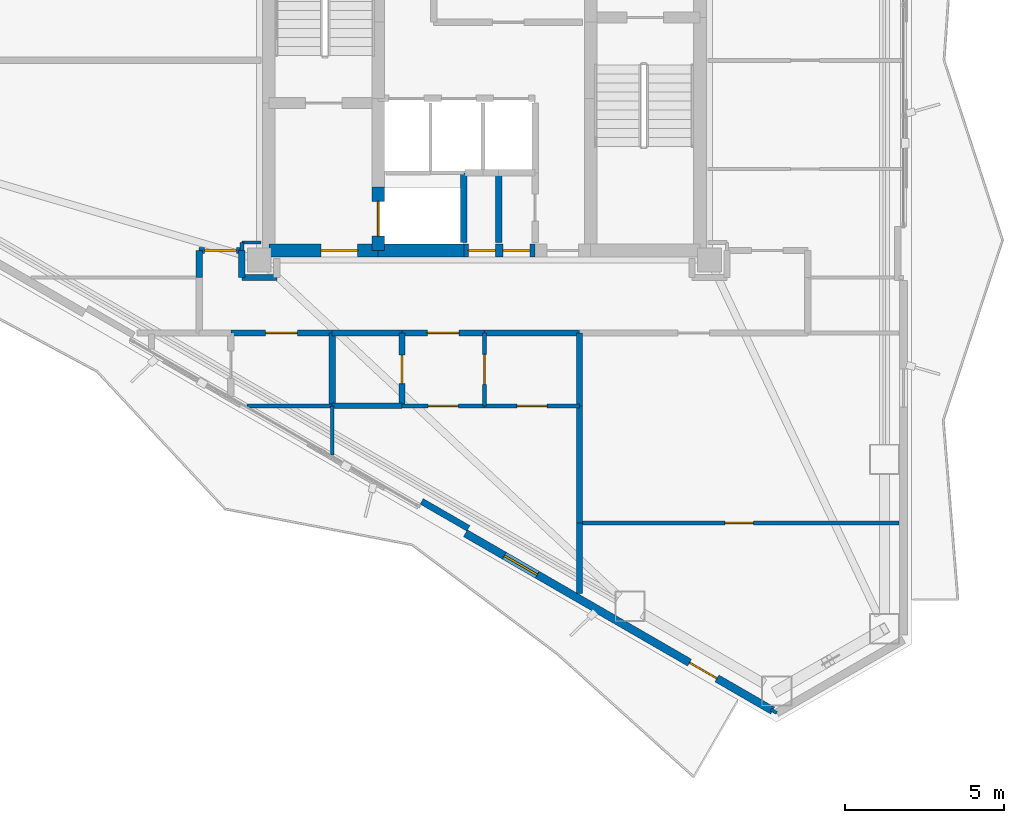
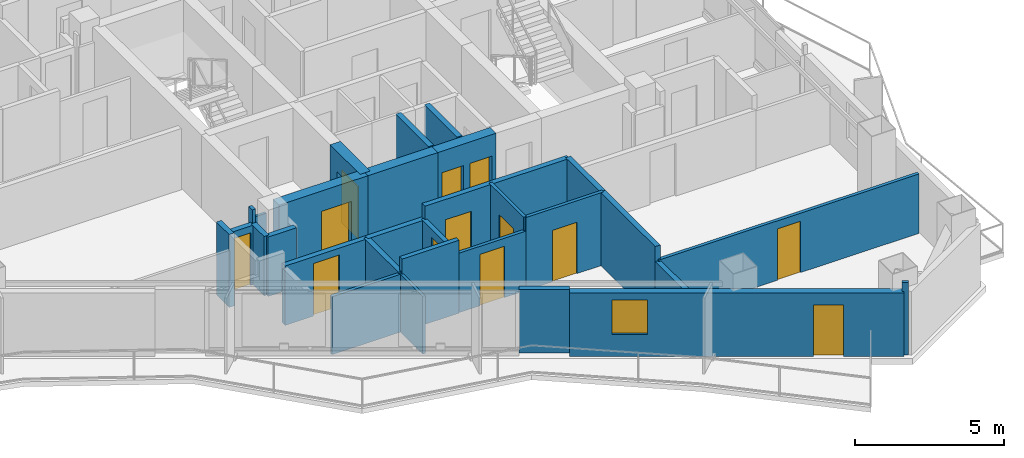
# One storey, part 12 of 18: 31 walls, 13 doors, 1 window, 14 openings.
"""IFC4 building model written with IfcOpenShell, lengths in metres."""

from ifc_helpers import new_model, si_unit, direction, frame, frame_2d, origin, place, context, subcontext, project, spatial, rectangle, extrude, material, layer, layer_set, type_object, element, fill, save


model = new_model("IFC4")

# Units and contexts
model_context = context("Model", 3, precision=1e-05, world=origin(), true_north=direction((0.0, 1.0)))
body_context = subcontext(model_context, "Body", "Model", "MODEL_VIEW")
ifc_project = project(units=[si_unit("LENGTHUNIT", "METRE"), si_unit("AREAUNIT", "SQUARE_METRE"), si_unit("VOLUMEUNIT", "CUBIC_METRE"), si_unit("PLANEANGLEUNIT", "RADIAN"), si_unit("MASSUNIT", "GRAM", prefix="KILO")], contexts=[model_context])

# Site, building, storey
site_placement = place(None, origin())
site = spatial("IfcSite", under=ifc_project, at=site_placement, CompositionType="ELEMENT")
building_placement = place(site_placement, origin())
building = spatial("IfcBuilding", under=site, at=building_placement, Name="Mersakhor Tower and Convention Hall", CompositionType="ELEMENT")
storey_placement = place(building_placement, frame((0.0, 0.0, 157.5)))
storey = spatial("IfcBuildingStorey", under=building, at=storey_placement, Name="L44", CompositionType="ELEMENT", Elevation=157.5)

# Wall, openings, door, window
ifc_material_1 = material(Name="Precast concrete C40/50", Category="concrete")
ifc_layer_1 = layer(ifc_material_1, 0.25)
ifc_layer_set_1 = layer_set([ifc_layer_1], Name="Precast concrete C40/50")
wall_type_1 = type_object("IfcWallType", Name="WL-EXT-250", PredefinedType="SOLIDWALL", material=ifc_layer_set_1)
wall_1_placement = place(storey_placement, frame((38.090576171875, 6.2373046875, 0.0), z_axis=(0.0, 0.0, 1.0), x_axis=(-0.86602239209, 0.500005216371, 0.0)))
wall_1 = element("IfcWall", 1, at=wall_1_placement, inside=storey, type_object=wall_type_1, Name="L44 Exterior Facade Wall F3-B1", PredefinedType="SOLIDWALL", context=body_context, shape_type="SweptSolid", body=[
    extrude(rectangle(XDim=11.18603515625, YDim=0.25, at=frame_2d((5.593017578125, 0.0))), origin(), (0.0, 0.0, 1.0), 2.60009765625),
])
opening_1_placement = place(wall_1_placement, frame((2.027099609375, 0.0, 0.0)))
opening_1 = element("IfcOpeningElement", 2, at=opening_1_placement, cuts=wall_1, Name="Opening BD-01", PredefinedType="OPENING", context=body_context, shape_type="SweptSolid", body=[
    extrude(rectangle(XDim=1.0, YDim=2.10009765625, at=frame_2d((0.5, 1.050048828125))), frame((0.0, 0.135009765625, 0.0), z_axis=(0.0, -1.0, 0.0), x_axis=(1.0, 0.0, 0.0)), (0.0, 0.0, 1.0), 0.27001953125),
])
opening_2_placement = place(wall_1_placement, frame((8.571044921875, 0.0, 0.89990234375)))
opening_2 = element("IfcOpeningElement", 3, at=opening_2_placement, cuts=wall_1, Name="Opening W-01", PredefinedType="OPENING", context=body_context, shape_type="SweptSolid", body=[
    extrude(rectangle(XDim=1.199951171875, YDim=1.39990234375, at=frame_2d((0.60009765625, 0.699951171875))), frame((0.0, 0.135009765625, 0.0), z_axis=(0.0, -1.0, 0.0), x_axis=(1.0, 0.0, 0.0)), (0.0, 0.0, 1.0), 0.27001953125),
])
ifc_material_2 = material(Name="Thermally broken dark aluminium and safety glass", Category="aluminium")
door_type_1 = type_object("IfcDoorType", Name="DR-BAL-100x210", OperationType="NOTDEFINED", PredefinedType="DOOR", material=ifc_material_2)
door_1_placement = place(opening_1_placement, origin())
door_1 = element("IfcDoor", 4, at=door_1_placement, inside=storey, type_object=door_type_1, Name="L44 Balcony Terrace Door F3-B1", OperationType="SINGLE_SWING_LEFT", OverallHeight=2.10009765625, OverallWidth=1.0, PredefinedType="DOOR", context=body_context, shape_type="SweptSolid", body=[
    extrude(rectangle(XDim=1.0, YDim=2.10009765625, at=frame_2d((0.5, 1.050048828125))), frame((0.0, 0.02490234375, 0.0), z_axis=(0.0, -1.0, 0.0), x_axis=(1.0, 0.0, 0.0)), (0.0, 0.0, 1.0), 0.050048828125),
])
fill(opening_1, door_1)
ifc_material_3 = material(Name="Dark solar low-E glazed aluminium window", Category="aluminium")
window_type = type_object("IfcWindowType", Name="WN-RES-120x150", PartitioningType="SINGLE_PANEL", PredefinedType="WINDOW", material=ifc_material_3)
window_placement = place(opening_2_placement, origin())
window = element("IfcWindow", 5, at=window_placement, inside=storey, type_object=window_type, Name="L44 Bedroom Facade Window F3-B1-1", OverallHeight=1.39990234375, OverallWidth=1.199951171875, PartitioningType="SINGLE_PANEL", PredefinedType="WINDOW", context=body_context, shape_type="SweptSolid", body=[
    extrude(rectangle(XDim=1.199951171875, YDim=1.39990234375, at=frame_2d((0.60009765625, 0.699951171875))), frame((0.0, 0.030029296875, 0.0), z_axis=(0.0, -1.0, 0.0), x_axis=(1.0, 0.0, 0.0)), (0.0, 0.0, 1.0), 0.06005859375),
])
fill(opening_2, window)

# Wall
ifc_material_4 = material(Name="Precast concrete C40/50", Category="concrete")
ifc_layer_2 = layer(ifc_material_4, 0.199951171875)
ifc_layer_set_2 = layer_set([ifc_layer_2], Name="Precast concrete C40/50")
wall_type_2 = type_object("IfcWallType", Name="WL-PAR-200", PredefinedType="PARAPET", material=ifc_layer_set_2)
wall_2_placement = place(storey_placement, frame((28.4931640625, 11.986328125, 0.0), z_axis=(0.0, 0.0, 1.0), x_axis=(-0.86605165483, 0.499954529098, 0.0)))
element("IfcWall", 6, at=wall_2_placement, inside=storey, type_object=wall_type_2, Name="L44 Column Pier Cladding Wall F3-C1", PredefinedType="PARAPET", context=body_context, shape_type="SweptSolid", body=[
    extrude(rectangle(XDim=1.699951171875, YDim=0.199951171875, at=frame_2d((0.85009765625, 0.0))), origin(), (0.0, 0.0, 1.0), 2.60009765625),
])

# Wall, opening, door
ifc_material_5 = material(Name="Moisture-resistant acoustic drywall studwork", Category="other")
ifc_layer_3 = layer(ifc_material_5, 0.175048828125)
ifc_layer_set_3 = layer_set([ifc_layer_3], Name="Moisture-resistant acoustic drywall studwork")
wall_type_3 = type_object("IfcWallType", Name="WL-PLM-175", PredefinedType="PLUMBINGWALL", material=ifc_layer_set_3)
wall_3_placement = place(storey_placement, frame((26.39990234375, 15.85009765625, 0.0), z_axis=(0.0, 0.0, 1.0), x_axis=(0.0, 1.0, 0.0)))
wall_3 = element("IfcWall", 7, at=wall_3_placement, inside=storey, type_object=wall_type_3, Name="L44 Interior Partition Wall P-056", PredefinedType="PLUMBINGWALL", context=body_context, shape_type="SweptSolid", body=[
    extrude(rectangle(XDim=2.2998046875, YDim=0.175048828125, at=frame_2d((1.14990234375, 0.0))), origin(), (0.0, 0.0, 1.0), 2.42822265625),
])
opening_3_placement = place(wall_3_placement, frame((0.699951171875, 0.0, 0.0)))
opening_3 = element("IfcOpeningElement", 8, at=opening_3_placement, cuts=wall_3, Name="Opening WD-01", PredefinedType="OPENING", context=body_context, shape_type="SweptSolid", body=[
    extrude(rectangle(XDim=0.89990234375, YDim=2.10009765625, at=frame_2d((0.449951171875, 1.050048828125))), frame((0.0, 0.097412109375, 0.0), z_axis=(0.0, -1.0, 0.0), x_axis=(1.0, 0.0, 0.0)), (0.0, 0.0, 1.0), 0.195068359375),
])
ifc_material_6 = material(Name="Solid-core hardwood leaf in painted steel frame", Category="steel")
door_type_2 = type_object("IfcDoorType", Name="DR-INT-WET-090x210", OperationType="NOTDEFINED", PredefinedType="DOOR", material=ifc_material_6)
door_2_placement = place(opening_3_placement, origin())
door_2 = element("IfcDoor", 9, at=door_2_placement, inside=storey, type_object=door_type_2, Name="L44 L44 Flat S4 Apartment Hall to L44 Flat S4 Bathroom Door", OperationType="SINGLE_SWING_RIGHT", OverallHeight=2.10009765625, OverallWidth=0.89990234375, PredefinedType="DOOR", context=body_context, shape_type="SweptSolid", body=[
    extrude(rectangle(XDim=0.89990234375, YDim=2.10009765625, at=frame_2d((0.449951171875, 1.050048828125))), frame((0.0, 0.02490234375, 0.0), z_axis=(0.0, -1.0, 0.0), x_axis=(1.0, 0.0, 0.0)), (0.0, 0.0, 1.0), 0.050048828125),
])
fill(opening_3, door_2)

# Walls
wall_4_placement = place(storey_placement, frame((26.39990234375, 15.85009765625, 0.0), z_axis=(0.0, 0.0, 1.0), x_axis=(-1.0, 0.0, 0.0)))
element("IfcWall", 10, at=wall_4_placement, inside=storey, type_object=wall_type_3, Name="L44 Interior Partition Wall P-067", PredefinedType="PLUMBINGWALL", context=body_context, shape_type="SweptSolid", body=[
    extrude(rectangle(XDim=2.199951171875, YDim=0.175048828125, at=frame_2d((1.10009765625, 0.0))), origin(), (0.0, 0.0, 1.0), 2.97998046875),
])
ifc_material_7 = material(Name="Lightweight gypsum partition", Category="other")
ifc_layer_4 = layer(ifc_material_7, 0.10009765625)
ifc_layer_set_4 = layer_set([ifc_layer_4], Name="Lightweight gypsum partition")
wall_type_4 = type_object("IfcWallType", Name="WL-PRT-100", PredefinedType="PARTITIONING", material=ifc_layer_set_4)
wall_5_placement = place(storey_placement, frame((38.220703125, 6.162109375, 0.0), z_axis=(0.0, 0.0, 1.0), x_axis=(-0.865581379588, 0.500768285049, 0.0)))
element("IfcWall", 11, at=wall_5_placement, inside=storey, type_object=wall_type_4, Name="L44 Interior Partition Wall P-088", PredefinedType="PARTITIONING", context=body_context, shape_type="SweptSolid", body=[
    extrude(rectangle(XDim=0.215576171875, YDim=0.10009765625, at=frame_2d((0.10791015625, 0.0))), origin(), (0.0, 0.0, 1.0), 2.97998046875),
])
wall_6_placement = place(storey_placement, frame((21.949951171875, 21.0, 0.0), z_axis=(0.0, 0.0, 1.0), x_axis=(-1.0, 0.0, 0.0)))
element("IfcWall", 12, at=wall_6_placement, inside=storey, type_object=wall_type_4, Name="L44 Interior Partition Wall P-092", PredefinedType="PARTITIONING", context=body_context, shape_type="SweptSolid", body=[
    extrude(rectangle(XDim=0.599853515625, YDim=0.10009765625, at=frame_2d((0.2998046875, 0.0))), origin(), (0.0, 0.0, 1.0), 2.5048828125),
])
wall_7_placement = place(storey_placement, frame((24.199951171875, 14.301025390625, 0.0), z_axis=(0.0, 0.0, 1.0), x_axis=(0.0, 1.0, 0.0)))
element("IfcWall", 13, at=wall_7_placement, inside=storey, type_object=wall_type_4, Name="L44 Interior Partition Wall P-116", PredefinedType="PARTITIONING", context=body_context, shape_type="SweptSolid", body=[
    extrude(rectangle(XDim=1.549072265625, YDim=0.10009765625, at=frame_2d((0.7744140625, 0.0))), origin(), (0.0, 0.0, 1.0), 2.364990234375),
])

# Wall, opening, door
ifc_material_8 = material(Name="Gypsum board acoustic partition", Category="other")
ifc_layer_5 = layer(ifc_material_8, 0.125)
ifc_layer_set_5 = layer_set([ifc_layer_5], Name="Gypsum board acoustic partition")
wall_type_5 = type_object("IfcWallType", Name="WL-PRT-125", PredefinedType="PARTITIONING", material=ifc_layer_set_5)
wall_8_placement = place(storey_placement, frame((29.0, 15.85009765625, 0.0), z_axis=(0.0, 0.0, 1.0), x_axis=(-1.0, 0.0, 0.0)))
wall_8 = element("IfcWall", 14, at=wall_8_placement, inside=storey, type_object=wall_type_5, Name="L44 Interior Partition Wall P-055", PredefinedType="PARTITIONING", context=body_context, shape_type="SweptSolid", body=[
    extrude(rectangle(XDim=2.60009765625, YDim=0.125, at=frame_2d((1.300048828125, 0.0))), origin(), (0.0, 0.0, 1.0), 2.42822265625),
])
opening_4_placement = place(wall_8_placement, frame((0.824951171875, 0.0, 0.0)))
opening_4 = element("IfcOpeningElement", 15, at=opening_4_placement, cuts=wall_8, Name="Opening RD-01", PredefinedType="OPENING", context=body_context, shape_type="SweptSolid", body=[
    extrude(rectangle(XDim=0.949951171875, YDim=2.10009765625, at=frame_2d((0.47509765625, 1.050048828125))), frame((0.0, 0.072509765625, 0.0), z_axis=(0.0, -1.0, 0.0), x_axis=(1.0, 0.0, 0.0)), (0.0, 0.0, 1.0), 0.14501953125),
])
ifc_material_9 = material(Name="Solid-core hardwood leaf in painted steel frame", Category="steel")
door_type_3 = type_object("IfcDoorType", Name="DR-INT-RM-095x210", OperationType="NOTDEFINED", PredefinedType="DOOR", material=ifc_material_9)
door_3_placement = place(opening_4_placement, origin())
door_3 = element("IfcDoor", 16, at=door_3_placement, inside=storey, type_object=door_type_3, Name="L44 L44 Flat S4 Apartment Hall to L44 Flat S4 Studio Living and Sleeping Room Door", OperationType="SINGLE_SWING_RIGHT", OverallHeight=2.10009765625, OverallWidth=0.949951171875, PredefinedType="DOOR", context=body_context, shape_type="SweptSolid", body=[
    extrude(rectangle(XDim=0.949951171875, YDim=2.10009765625, at=frame_2d((0.47509765625, 1.050048828125))), frame((0.0, 0.02490234375, 0.0), z_axis=(0.0, -1.0, 0.0), x_axis=(1.0, 0.0, 0.0)), (0.0, 0.0, 1.0), 0.050048828125),
])
fill(opening_4, door_3)

wall_9_placement = place(storey_placement, frame((29.0, 18.14990234375, 0.0), z_axis=(0.0, 0.0, 1.0), x_axis=(0.0, -1.0, 0.0)))
wall_9 = element("IfcWall", 17, at=wall_9_placement, inside=storey, type_object=wall_type_5, Name="L44 Interior Partition Wall P-057", PredefinedType="PARTITIONING", context=body_context, shape_type="SweptSolid", body=[
    extrude(rectangle(XDim=2.2998046875, YDim=0.125, at=frame_2d((1.14990234375, 0.0))), origin(), (0.0, 0.0, 1.0), 2.97998046875),
])
opening_5_placement = place(wall_9_placement, frame((0.675048828125, 0.0, 0.0)))
opening_5 = element("IfcOpeningElement", 18, at=opening_5_placement, cuts=wall_9, Name="Opening RD-01", PredefinedType="OPENING", context=body_context, shape_type="SweptSolid", body=[
    extrude(rectangle(XDim=0.949951171875, YDim=2.10009765625, at=frame_2d((0.47509765625, 1.050048828125))), frame((0.0, 0.072509765625, 0.0), z_axis=(0.0, -1.0, 0.0), x_axis=(1.0, 0.0, 0.0)), (0.0, 0.0, 1.0), 0.14501953125),
])
door_4_placement = place(opening_5_placement, origin())
door_4 = element("IfcDoor", 19, at=door_4_placement, inside=storey, type_object=door_type_3, Name="L44 L44 Flat S4 Apartment Hall to L44 Flat S4 Kitchen Door", OperationType="SINGLE_SWING_LEFT", OverallHeight=2.10009765625, OverallWidth=0.949951171875, PredefinedType="DOOR", context=body_context, shape_type="SweptSolid", body=[
    extrude(rectangle(XDim=0.949951171875, YDim=2.10009765625, at=frame_2d((0.47509765625, 1.050048828125))), frame((0.0, 0.02490234375, 0.0), z_axis=(0.0, -1.0, 0.0), x_axis=(1.0, 0.0, 0.0)), (0.0, 0.0, 1.0), 0.050048828125),
])
fill(opening_5, door_4)

wall_10_placement = place(storey_placement, frame((32.0, 15.85009765625, 0.0), z_axis=(0.0, 0.0, 1.0), x_axis=(-1.0, 0.0, 0.0)))
wall_10 = element("IfcWall", 20, at=wall_10_placement, inside=storey, type_object=wall_type_5, Name="L44 Interior Partition Wall P-069", PredefinedType="PARTITIONING", context=body_context, shape_type="SweptSolid", body=[
    extrude(rectangle(XDim=3.0, YDim=0.125, at=frame_2d((1.5, 0.0))), origin(), (0.0, 0.0, 1.0), 2.97998046875),
])
opening_6_placement = place(wall_10_placement, frame((1.02490234375, 0.0, 0.0)))
opening_6 = element("IfcOpeningElement", 21, at=opening_6_placement, cuts=wall_10, Name="Opening RD-01", PredefinedType="OPENING", context=body_context, shape_type="SweptSolid", body=[
    extrude(rectangle(XDim=0.949951171875, YDim=2.10009765625, at=frame_2d((0.47509765625, 1.050048828125))), frame((0.0, 0.072509765625, 0.0), z_axis=(0.0, -1.0, 0.0), x_axis=(1.0, 0.0, 0.0)), (0.0, 0.0, 1.0), 0.14501953125),
])
door_5_placement = place(opening_6_placement, origin())
door_5 = element("IfcDoor", 22, at=door_5_placement, inside=storey, type_object=door_type_3, Name="L44 L44 Flat S4 Kitchen to L44 Flat S4 Studio Living and Sleeping Room Door", OperationType="SINGLE_SWING_RIGHT", OverallHeight=2.10009765625, OverallWidth=0.949951171875, PredefinedType="DOOR", context=body_context, shape_type="SweptSolid", body=[
    extrude(rectangle(XDim=0.949951171875, YDim=2.10009765625, at=frame_2d((0.47509765625, 1.050048828125))), frame((0.0, 0.02490234375, 0.0), z_axis=(0.0, -1.0, 0.0), x_axis=(1.0, 0.0, 0.0)), (0.0, 0.0, 1.0), 0.050048828125),
])
fill(opening_6, door_5)

wall_11_placement = place(storey_placement, frame((32.0, 12.159912109375, 0.0), z_axis=(0.0, 0.0, 1.0), x_axis=(1.0, 0.0, 0.0)))
wall_11 = element("IfcWall", 23, at=wall_11_placement, inside=storey, type_object=wall_type_5, Name="L44 Interior Partition Wall P-087", PredefinedType="PARTITIONING", context=body_context, shape_type="SweptSolid", body=[
    extrude(rectangle(XDim=10.0703125, YDim=0.125, at=frame_2d((5.03515625, 0.0))), origin(), (0.0, 0.0, 1.0), 2.42822265625),
])
opening_7_placement = place(wall_11_placement, frame((4.585205078125, 0.0, 0.0)))
opening_7 = element("IfcOpeningElement", 24, at=opening_7_placement, cuts=wall_11, Name="Opening WD-01", PredefinedType="OPENING", context=body_context, shape_type="SweptSolid", body=[
    extrude(rectangle(XDim=0.89990234375, YDim=2.10009765625, at=frame_2d((0.449951171875, 1.050048828125))), frame((0.0, 0.072509765625, 0.0), z_axis=(0.0, -1.0, 0.0), x_axis=(1.0, 0.0, 0.0)), (0.0, 0.0, 1.0), 0.14501953125),
])
door_6_placement = place(opening_7_placement, origin())
door_6 = element("IfcDoor", 25, at=door_6_placement, inside=storey, type_object=door_type_2, Name="L44 L44 South-East Residents Lounge to L44 South-East Residents Lounge Annex Door", OperationType="SINGLE_SWING_RIGHT", OverallHeight=2.10009765625, OverallWidth=0.89990234375, PredefinedType="DOOR", context=body_context, shape_type="SweptSolid", body=[
    extrude(rectangle(XDim=0.89990234375, YDim=2.10009765625, at=frame_2d((0.449951171875, 1.050048828125))), frame((0.0, 0.02490234375, 0.0), z_axis=(0.0, -1.0, 0.0), x_axis=(1.0, 0.0, 0.0)), (0.0, 0.0, 1.0), 0.050048828125),
])
fill(opening_7, door_6)

# Walls
wall_12_placement = place(storey_placement, frame((21.35009765625, 21.0, 0.0), z_axis=(0.0, 0.0, 1.0), x_axis=(0.0, -1.0, 0.0)))
element("IfcWall", 26, at=wall_12_placement, inside=storey, type_object=wall_type_5, Name="L44 Interior Partition Wall P-093", PredefinedType="PARTITIONING", context=body_context, shape_type="SweptSolid", body=[
    extrude(rectangle(XDim=0.25, YDim=0.125, at=frame_2d((0.125, 0.0))), origin(), (0.0, 0.0, 1.0), 2.97998046875),
])
wall_13_placement = place(storey_placement, frame((24.199951171875, 15.85009765625, 0.0), z_axis=(0.0, 0.0, 1.0), x_axis=(-1.0, 0.0, 0.0)))
element("IfcWall", 27, at=wall_13_placement, inside=storey, type_object=wall_type_5, Name="L44 Interior Partition Wall P-115", PredefinedType="PARTITIONING", context=body_context, shape_type="SweptSolid", body=[
    extrude(rectangle(XDim=2.68994140625, YDim=0.125, at=frame_2d((1.344970703125, 0.0))), origin(), (0.0, 0.0, 1.0), 2.364990234375),
])
ifc_material_10 = material(Name="Acoustic concrete blockwork and gypsum board", Category="masonry")
ifc_layer_6 = layer(ifc_material_10, 0.199951171875)
ifc_layer_set_6 = layer_set([ifc_layer_6], Name="Acoustic concrete blockwork and gypsum board")
wall_type_6 = type_object("IfcWallType", Name="WL-PRT-200", PredefinedType="PARTITIONING", material=ifc_layer_set_6)
wall_14_placement = place(storey_placement, frame((28.35009765625, 23.199951171875, 0.0), z_axis=(0.0, 0.0, 1.0), x_axis=(0.0, -1.0, 0.0)))
element("IfcWall", 28, at=wall_14_placement, inside=storey, type_object=wall_type_6, Name="L44 Interior Partition Wall P-003", PredefinedType="PARTITIONING", context=body_context, shape_type="SweptSolid", body=[
    extrude(rectangle(XDim=2.199951171875, YDim=0.199951171875, at=frame_2d((1.10009765625, 0.0))), origin(), (0.0, 0.0, 1.0), 2.97998046875),
])
wall_15_placement = place(storey_placement, frame((32.0, 18.14990234375, 0.0), z_axis=(0.0, 0.0, 1.0), x_axis=(-1.0, 0.0, 0.0)))
element("IfcWall", 29, at=wall_15_placement, inside=storey, type_object=wall_type_6, Name="L44 Interior Partition Wall P-042", PredefinedType="PARTITIONING", context=body_context, shape_type="SweptSolid", body=[
    extrude(rectangle(XDim=3.0, YDim=0.199951171875, at=frame_2d((1.5, 0.0))), origin(), (0.0, 0.0, 1.0), 2.97998046875),
])

# Wall, opening, door
wall_16_placement = place(storey_placement, frame((29.0, 18.14990234375, 0.0), z_axis=(0.0, 0.0, 1.0), x_axis=(-1.0, 0.0, 0.0)))
wall_16 = element("IfcWall", 30, at=wall_16_placement, inside=storey, type_object=wall_type_6, Name="L44 Interior Partition Wall P-043", PredefinedType="PARTITIONING", context=body_context, shape_type="SweptSolid", body=[
    extrude(rectangle(XDim=2.60009765625, YDim=0.199951171875, at=frame_2d((1.300048828125, 0.0))), origin(), (0.0, 0.0, 1.0), 2.97998046875),
])
opening_8_placement = place(wall_16_placement, frame((0.800048828125, 0.0, 0.0)))
opening_8 = element("IfcOpeningElement", 31, at=opening_8_placement, cuts=wall_16, Name="Opening FD-01", PredefinedType="OPENING", context=body_context, shape_type="SweptSolid", body=[
    extrude(rectangle(XDim=1.0, YDim=2.14990234375, at=frame_2d((0.5, 1.074951171875))), frame((0.0, 0.10986328125, 0.0), z_axis=(0.0, -1.0, 0.0), x_axis=(1.0, 0.0, 0.0)), (0.0, 0.0, 1.0), 0.219970703125),
])
ifc_material_11 = material(Name="Fire-rated hardwood leaf and painted steel frame", Category="steel")
door_type_4 = type_object("IfcDoorType", Name="DR-INT-FLT-100x215", OperationType="NOTDEFINED", PredefinedType="DOOR", material=ifc_material_11)
door_7_placement = place(opening_8_placement, origin())
door_7 = element("IfcDoor", 32, at=door_7_placement, inside=storey, type_object=door_type_4, Name="L44 Apartment Entrance Door (Residential South Gallery Corridor to L44 Flat S4 Apartment Hall)", OperationType="SINGLE_SWING_RIGHT", OverallHeight=2.14990234375, OverallWidth=1.0, PredefinedType="DOOR", context=body_context, shape_type="SweptSolid", body=[
    extrude(rectangle(XDim=1.0, YDim=2.14990234375, at=frame_2d((0.5, 1.074951171875))), frame((0.0, 0.02490234375, 0.0), z_axis=(0.0, -1.0, 0.0), x_axis=(1.0, 0.0, 0.0)), (0.0, 0.0, 1.0), 0.050048828125),
])
fill(opening_8, door_7)

# Wall
wall_17_placement = place(storey_placement, frame((26.39990234375, 18.14990234375, 0.0), z_axis=(0.0, 0.0, 1.0), x_axis=(-1.0, 0.0, 0.0)))
element("IfcWall", 33, at=wall_17_placement, inside=storey, type_object=wall_type_6, Name="L44 Interior Partition Wall P-044", PredefinedType="PARTITIONING", context=body_context, shape_type="SweptSolid", body=[
    extrude(rectangle(XDim=2.199951171875, YDim=0.199951171875, at=frame_2d((1.10009765625, 0.0))), origin(), (0.0, 0.0, 1.0), 2.42822265625),
])

# Wall, opening, door
wall_18_placement = place(storey_placement, frame((24.199951171875, 18.14990234375, 0.0), z_axis=(0.0, 0.0, 1.0), x_axis=(-1.0, 0.0, 0.0)))
wall_18 = element("IfcWall", 34, at=wall_18_placement, inside=storey, type_object=wall_type_6, Name="L44 Interior Partition Wall P-045", PredefinedType="PARTITIONING", context=body_context, shape_type="SweptSolid", body=[
    extrude(rectangle(XDim=3.199951171875, YDim=0.199951171875, at=frame_2d((1.60009765625, 0.0))), origin(), (0.0, 0.0, 1.0), 2.42822265625),
])
opening_9_placement = place(wall_18_placement, frame((1.10009765625, 0.0, 0.0)))
opening_9 = element("IfcOpeningElement", 35, at=opening_9_placement, cuts=wall_18, Name="Opening FD-01", PredefinedType="OPENING", context=body_context, shape_type="SweptSolid", body=[
    extrude(rectangle(XDim=1.0, YDim=2.14990234375, at=frame_2d((0.5, 1.074951171875))), frame((0.0, 0.10986328125, 0.0), z_axis=(0.0, -1.0, 0.0), x_axis=(1.0, 0.0, 0.0)), (0.0, 0.0, 1.0), 0.219970703125),
])
door_8_placement = place(opening_9_placement, origin())
door_8 = element("IfcDoor", 36, at=door_8_placement, inside=storey, type_object=door_type_4, Name="L44 Residential South Gallery Corridor to L44 Floor Shared Tea Pantry 3-2 Door", OperationType="SINGLE_SWING_RIGHT", OverallHeight=2.14990234375, OverallWidth=1.0, PredefinedType="DOOR", context=body_context, shape_type="SweptSolid", body=[
    extrude(rectangle(XDim=1.0, YDim=2.14990234375, at=frame_2d((0.5, 1.074951171875))), frame((0.0, 0.02490234375, 0.0), z_axis=(0.0, -1.0, 0.0), x_axis=(1.0, 0.0, 0.0)), (0.0, 0.0, 1.0), 0.050048828125),
])
fill(opening_9, door_8)

# Wall
wall_19_placement = place(storey_placement, frame((20.0, 19.89990234375, 0.0), z_axis=(0.0, 0.0, 1.0), x_axis=(0.0, 1.0, 0.0)))
element("IfcWall", 37, at=wall_19_placement, inside=storey, type_object=wall_type_6, Name="L44 Interior Partition Wall P-048", PredefinedType="PARTITIONING", context=body_context, shape_type="SweptSolid", body=[
    extrude(rectangle(XDim=0.85009765625, YDim=0.199951171875, at=frame_2d((0.425048828125, 0.0))), origin(), (0.0, 0.0, 1.0), 2.97998046875),
])

# Wall, opening, door
wall_20_placement = place(storey_placement, frame((20.0, 20.75, 0.0), z_axis=(0.0, 0.0, 1.0), x_axis=(1.0, 0.0, 0.0)))
wall_20 = element("IfcWall", 38, at=wall_20_placement, inside=storey, type_object=wall_type_6, Name="L44 Interior Partition Wall P-049", PredefinedType="PARTITIONING", context=body_context, shape_type="SweptSolid", body=[
    extrude(rectangle(XDim=1.35009765625, YDim=0.199951171875, at=frame_2d((0.675048828125, 0.0))), origin(), (0.0, 0.0, 1.0), 2.42822265625),
])
opening_10_placement = place(wall_20_placement, frame((0.175048828125, 0.0, 0.0)))
opening_10 = element("IfcOpeningElement", 39, at=opening_10_placement, cuts=wall_20, Name="Opening FD-01", PredefinedType="OPENING", context=body_context, shape_type="SweptSolid", body=[
    extrude(rectangle(XDim=1.0, YDim=2.14990234375, at=frame_2d((0.5, 1.074951171875))), frame((0.0, 0.10986328125, 0.0), z_axis=(0.0, -1.0, 0.0), x_axis=(1.0, 0.0, 0.0)), (0.0, 0.0, 1.0), 0.219970703125),
])
door_9_placement = place(opening_10_placement, origin())
door_9 = element("IfcDoor", 40, at=door_9_placement, inside=storey, type_object=door_type_4, Name="L44 Residential South Gallery Corridor to L44 West South Residents Dining Room Door", OperationType="SINGLE_SWING_RIGHT", OverallHeight=2.14990234375, OverallWidth=1.0, PredefinedType="DOOR", context=body_context, shape_type="SweptSolid", body=[
    extrude(rectangle(XDim=1.0, YDim=2.14990234375, at=frame_2d((0.5, 1.074951171875))), frame((0.0, 0.02490234375, 0.0), z_axis=(0.0, -1.0, 0.0), x_axis=(1.0, 0.0, 0.0)), (0.0, 0.0, 1.0), 0.050048828125),
])
fill(opening_10, door_9)

# Walls
wall_21_placement = place(storey_placement, frame((21.35009765625, 20.75, 0.0), z_axis=(0.0, 0.0, 1.0), x_axis=(0.0, -1.0, 0.0)))
element("IfcWall", 41, at=wall_21_placement, inside=storey, type_object=wall_type_6, Name="L44 Interior Partition Wall P-050", PredefinedType="PARTITIONING", context=body_context, shape_type="SweptSolid", body=[
    extrude(rectangle(XDim=0.85009765625, YDim=0.199951171875, at=frame_2d((0.425048828125, 0.0))), origin(), (0.0, 0.0, 1.0), 2.42822265625),
])
wall_22_placement = place(storey_placement, frame((21.35009765625, 19.89990234375, 0.0), z_axis=(0.0, 0.0, 1.0), x_axis=(1.0, 0.0, 0.0)))
element("IfcWall", 42, at=wall_22_placement, inside=storey, type_object=wall_type_6, Name="L44 Interior Partition Wall P-051", PredefinedType="PARTITIONING", context=body_context, shape_type="SweptSolid", body=[
    extrude(rectangle(XDim=1.099853515625, YDim=0.199951171875, at=frame_2d((0.5498046875, 0.0))), origin(), (0.0, 0.0, 1.0), 2.42822265625),
])
wall_23_placement = place(storey_placement, frame((24.199951171875, 15.85009765625, 0.0), z_axis=(0.0, 0.0, 1.0), x_axis=(0.0, 1.0, 0.0)))
element("IfcWall", 43, at=wall_23_placement, inside=storey, type_object=wall_type_6, Name="L44 Interior Partition Wall P-068", PredefinedType="PARTITIONING", context=body_context, shape_type="SweptSolid", body=[
    extrude(rectangle(XDim=2.2998046875, YDim=0.199951171875, at=frame_2d((1.14990234375, 0.0))), origin(), (0.0, 0.0, 1.0), 2.42822265625),
])
wall_24_placement = place(storey_placement, frame((32.0, 18.14990234375, 0.0), z_axis=(0.0, 0.0, 1.0), x_axis=(0.0, -1.0, 0.0)))
element("IfcWall", 44, at=wall_24_placement, inside=storey, type_object=wall_type_6, Name="L44 Interior Partition Wall P-070", PredefinedType="PARTITIONING", context=body_context, shape_type="SweptSolid", body=[
    extrude(rectangle(XDim=2.2998046875, YDim=0.199951171875, at=frame_2d((1.14990234375, 0.0))), origin(), (0.0, 0.0, 1.0), 2.97998046875),
])
wall_25_placement = place(storey_placement, frame((29.449951171875, 23.199951171875, 0.0), z_axis=(0.0, 0.0, 1.0), x_axis=(0.0, -1.0, 0.0)))
element("IfcWall", 45, at=wall_25_placement, inside=storey, type_object=wall_type_6, Name="L44 Interior Partition Wall P-078", PredefinedType="PARTITIONING", context=body_context, shape_type="SweptSolid", body=[
    extrude(rectangle(XDim=2.199951171875, YDim=0.199951171875, at=frame_2d((1.10009765625, 0.0))), origin(), (0.0, 0.0, 1.0), 2.97998046875),
])
wall_26_placement = place(storey_placement, frame((32.0, 9.92578125, 0.0), z_axis=(0.0, 0.0, 1.0), x_axis=(0.0, 1.0, 0.0)))
element("IfcWall", 46, at=wall_26_placement, inside=storey, type_object=wall_type_6, Name="L44 Interior Partition Wall P-086", PredefinedType="PARTITIONING", context=body_context, shape_type="SweptSolid", body=[
    extrude(rectangle(XDim=2.234130859375, YDim=0.199951171875, at=frame_2d((1.1171875, 0.0))), origin(), (0.0, 0.0, 1.0), 2.364990234375),
])
wall_27_placement = place(storey_placement, frame((32.0, 12.159912109375, 0.0), z_axis=(0.0, 0.0, 1.0), x_axis=(0.0, 1.0, 0.0)))
element("IfcWall", 47, at=wall_27_placement, inside=storey, type_object=wall_type_6, Name="L44 Interior Partition Wall P-090", PredefinedType="PARTITIONING", context=body_context, shape_type="SweptSolid", body=[
    extrude(rectangle(XDim=3.690185546875, YDim=0.199951171875, at=frame_2d((1.84521484375, 0.0))), origin(), (0.0, 0.0, 1.0), 2.97998046875),
])

# Wall, openings, doors
ifc_material_12 = material(Name="Concrete C60/75", Category="concrete")
ifc_layer_7 = layer(ifc_material_12, 0.39990234375)
ifc_layer_set_7 = layer_set([ifc_layer_7], Name="Concrete C60/75")
wall_type_7 = type_object("IfcWallType", Name="WL-SHR-400", PredefinedType="SHEAR", material=ifc_layer_set_7)
wall_28_placement = place(storey_placement, frame((30.60009765625, 20.75, 0.0), z_axis=(0.0, 0.0, 1.0), x_axis=(-1.0, 0.0, 0.0)))
wall_28 = element("IfcWall", 48, at=wall_28_placement, inside=storey, type_object=wall_type_7, Name="L44 Core Wall CW-S2B", PredefinedType="SHEAR", context=body_context, shape_type="SweptSolid", body=[
    extrude(rectangle(XDim=2.25, YDim=0.39990234375, at=frame_2d((1.125, 0.0))), origin(), (0.0, 0.0, 1.0), 2.97998046875),
])
opening_11_placement = place(wall_28_placement, frame((1.2548828125, 0.0, 0.0)))
opening_11 = element("IfcOpeningElement", 49, at=opening_11_placement, cuts=wall_28, Name="Opening SVD-01", PredefinedType="OPENING", context=body_context, shape_type="SweptSolid", body=[
    extrude(rectangle(XDim=0.85009765625, YDim=2.10009765625, at=frame_2d((0.425048828125, 1.050048828125))), frame((0.0, 0.2099609375, 0.0), z_axis=(0.0, -1.0, 0.0), x_axis=(1.0, 0.0, 0.0)), (0.0, 0.0, 1.0), 0.419921875),
])
opening_12_placement = place(wall_28_placement, frame((0.169921875, 0.0, 0.0)))
opening_12 = element("IfcOpeningElement", 50, at=opening_12_placement, cuts=wall_28, Name="Opening SVD-01", PredefinedType="OPENING", context=body_context, shape_type="SweptSolid", body=[
    extrude(rectangle(XDim=0.85009765625, YDim=2.10009765625, at=frame_2d((0.425048828125, 1.050048828125))), frame((0.0, 0.2099609375, 0.0), z_axis=(0.0, -1.0, 0.0), x_axis=(1.0, 0.0, 0.0)), (0.0, 0.0, 1.0), 0.419921875),
])
ifc_material_13 = material(Name="Fire-rated hardwood leaf and painted steel frame", Category="steel")
door_type_5 = type_object("IfcDoorType", Name="DR-INT-SVC-085x210", OperationType="NOTDEFINED", PredefinedType="DOOR", material=ifc_material_13)
door_10_placement = place(opening_11_placement, origin())
door_10 = element("IfcDoor", 51, at=door_10_placement, inside=storey, type_object=door_type_5, Name="L44 Residential South Gallery Corridor to Sub-Metering Switch Room Door", OperationType="SINGLE_SWING_LEFT", OverallHeight=2.10009765625, OverallWidth=0.85009765625, PredefinedType="DOOR", context=body_context, shape_type="SweptSolid", body=[
    extrude(rectangle(XDim=0.85009765625, YDim=2.10009765625, at=frame_2d((0.425048828125, 1.050048828125))), frame((0.0, 0.02490234375, 0.0), z_axis=(0.0, -1.0, 0.0), x_axis=(1.0, 0.0, 0.0)), (0.0, 0.0, 1.0), 0.050048828125),
])
fill(opening_11, door_10)
door_11_placement = place(opening_12_placement, origin())
door_11 = element("IfcDoor", 52, at=door_11_placement, inside=storey, type_object=door_type_5, Name="L44 Residential South Gallery Corridor to Core Maintenance Store Room Door", OperationType="SINGLE_SWING_RIGHT", OverallHeight=2.10009765625, OverallWidth=0.85009765625, PredefinedType="DOOR", context=body_context, shape_type="SweptSolid", body=[
    extrude(rectangle(XDim=0.85009765625, YDim=2.10009765625, at=frame_2d((0.425048828125, 1.050048828125))), frame((0.0, 0.02490234375, 0.0), z_axis=(0.0, -1.0, 0.0), x_axis=(1.0, 0.0, 0.0)), (0.0, 0.0, 1.0), 0.050048828125),
])
fill(opening_12, door_11)

# Wall
wall_29_placement = place(storey_placement, frame((28.35009765625, 20.75, 0.0), z_axis=(0.0, 0.0, 1.0), x_axis=(-1.0, 0.0, 0.0)))
element("IfcWall", 53, at=wall_29_placement, inside=storey, type_object=wall_type_7, Name="L44 Core Wall CW-S3", PredefinedType="SHEAR", context=body_context, shape_type="SweptSolid", body=[
    extrude(rectangle(XDim=2.7001953125, YDim=0.39990234375, at=frame_2d((1.35009765625, 0.0))), origin(), (0.0, 0.0, 1.0), 2.97998046875),
])

# Wall, opening, door
wall_30_placement = place(storey_placement, frame((25.64990234375, 20.75, 0.0), z_axis=(0.0, 0.0, 1.0), x_axis=(-1.0, 0.0, 0.0)))
wall_30 = element("IfcWall", 54, at=wall_30_placement, inside=storey, type_object=wall_type_7, Name="L44 Core Wall CW-S4", PredefinedType="SHEAR", context=body_context, shape_type="SweptSolid", body=[
    extrude(rectangle(XDim=3.449951171875, YDim=0.39990234375, at=frame_2d((1.72509765625, 0.0))), origin(), (0.0, 0.0, 1.0), 2.97998046875),
])
opening_13_placement = place(wall_30_placement, frame((0.64990234375, 0.0, 0.0)))
opening_13 = element("IfcOpeningElement", 55, at=opening_13_placement, cuts=wall_30, Name="Opening SD-01", PredefinedType="OPENING", context=body_context, shape_type="SweptSolid", body=[
    extrude(rectangle(XDim=1.14990234375, YDim=2.14990234375, at=frame_2d((0.574951171875, 1.074951171875))), frame((0.0, 0.2099609375, 0.0), z_axis=(0.0, -1.0, 0.0), x_axis=(1.0, 0.0, 0.0)), (0.0, 0.0, 1.0), 0.419921875),
])
ifc_material_14 = material(Name="Fire-rated hardwood leaf and painted steel frame", Category="steel")
door_type_6 = type_object("IfcDoorType", Name="DR-INT-STAIR-115x215", OperationType="NOTDEFINED", PredefinedType="DOOR", material=ifc_material_14)
door_12_placement = place(opening_13_placement, origin())
door_12 = element("IfcDoor", 56, at=door_12_placement, inside=storey, type_object=door_type_6, Name="L44 Firefighting Lobby West Fire Door", OperationType="SINGLE_SWING_LEFT", OverallHeight=2.14990234375, OverallWidth=1.14990234375, PredefinedType="DOOR", context=body_context, shape_type="SweptSolid", body=[
    extrude(rectangle(XDim=1.14990234375, YDim=2.14990234375, at=frame_2d((0.574951171875, 1.074951171875))), frame((0.0, 0.02490234375, 0.0), z_axis=(0.0, -1.0, 0.0), x_axis=(1.0, 0.0, 0.0)), (0.0, 0.0, 1.0), 0.050048828125),
])
fill(opening_13, door_12)

wall_31_placement = place(storey_placement, frame((25.64990234375, 20.75, 0.0), z_axis=(0.0, 0.0, 1.0), x_axis=(0.0, 1.0, 0.0)))
wall_31 = element("IfcWall", 57, at=wall_31_placement, inside=storey, type_object=wall_type_7, Name="L44 Core Wall CS-W-FFL", PredefinedType="SHEAR", context=body_context, shape_type="SweptSolid", body=[
    extrude(rectangle(XDim=2.0, YDim=0.39990234375, at=frame_2d((1.0, 0.0))), origin(), (0.0, 0.0, 1.0), 2.97998046875),
])
opening_14_placement = place(wall_31_placement, frame((0.449951171875, 0.0, 0.0)))
opening_14 = element("IfcOpeningElement", 58, at=opening_14_placement, cuts=wall_31, Name="Opening LD-FFL1", PredefinedType="OPENING", context=body_context, shape_type="SweptSolid", body=[
    extrude(rectangle(XDim=1.10009765625, YDim=2.14990234375, at=frame_2d((0.550048828125, 1.074951171875))), frame((0.0, 0.2099609375, 0.0), z_axis=(0.0, -1.0, 0.0), x_axis=(1.0, 0.0, 0.0)), (0.0, 0.0, 1.0), 0.419921875),
])
ifc_material_15 = material(Name="Fire-rated brushed stainless steel sliding landing door", Category="steel")
door_type_7 = type_object("IfcDoorType", Name="DR-LIFT-SLD-110x215", OperationType="NOTDEFINED", PredefinedType="DOOR", material=ifc_material_15)
door_13_placement = place(opening_14_placement, origin())
door_13 = element("IfcDoor", 59, at=door_13_placement, inside=storey, type_object=door_type_7, Name="L44 Firefighting Lift Landing Door LD-FFL1", OperationType="SLIDING_TO_LEFT", OverallHeight=2.14990234375, OverallWidth=1.10009765625, PredefinedType="DOOR", context=body_context, shape_type="SweptSolid", body=[
    extrude(rectangle(XDim=1.10009765625, YDim=2.14990234375, at=frame_2d((0.550048828125, 1.074951171875))), frame((0.0, 0.02490234375, 0.0), z_axis=(0.0, -1.0, 0.0), x_axis=(1.0, 0.0, 0.0)), (0.0, 0.0, 1.0), 0.050048828125),
])
fill(opening_14, door_13)

save(model, "model.ifc")
